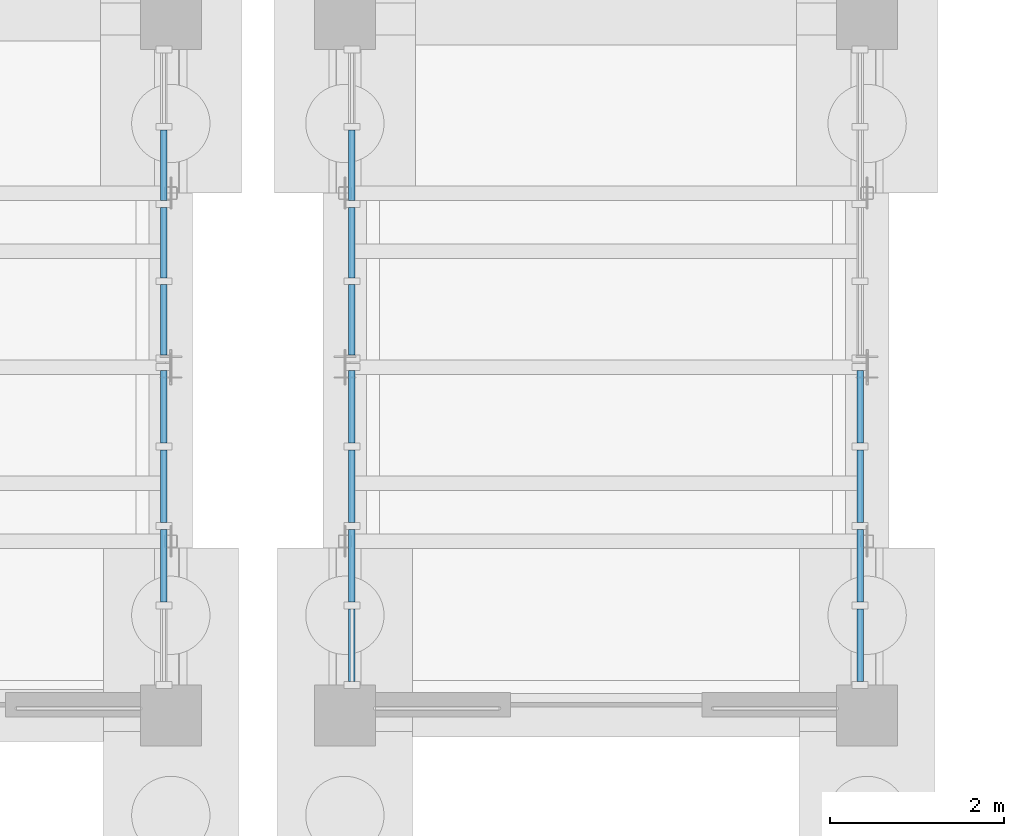
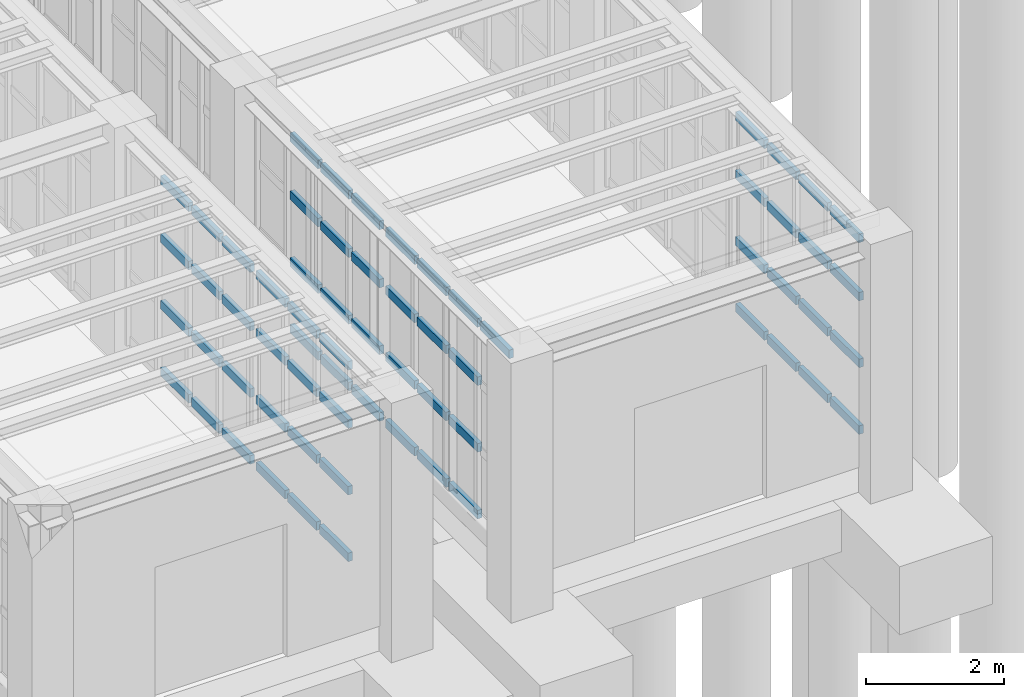
# One storey, part 74 of 129: 65 members, 5 elements without a shape of their own.
"""IFC4 building model written with IfcOpenShell, lengths in metres."""

from ifc_helpers import new_model, si_unit, direction, frame, origin, origin_2d, place, context, subcontext, project, spatial, rectangle, extrude, material, layer, layer_set, material_profile, profile_set, type_object, element, aggregate, save


model = new_model("IFC4")

# Units and contexts
model_context = context("Model", 3, precision=1e-05, world=origin(), true_north=direction((0.0, 1.0)))
body_context = subcontext(model_context, "Body", "Model", "MODEL_VIEW")
ifc_project = project(units=[si_unit("LENGTHUNIT", "METRE"), si_unit("AREAUNIT", "SQUARE_METRE"), si_unit("VOLUMEUNIT", "CUBIC_METRE"), si_unit("PLANEANGLEUNIT", "RADIAN"), si_unit("MASSUNIT", "GRAM", prefix="KILO")], contexts=[model_context])

# Site, building, storey
site_placement = place(None, origin())
site = spatial("IfcSite", under=ifc_project, at=site_placement, CompositionType="ELEMENT")
building_placement = place(site_placement, origin())
building = spatial("IfcBuilding", under=site, at=building_placement, Name="Sitalva Quay Ferry Terminal", CompositionType="ELEMENT")
storey_placement = place(building_placement, origin())
storey = spatial("IfcBuildingStorey", under=building, at=storey_placement, Name="L01", CompositionType="ELEMENT", Elevation=0.0)

# Curtain wall, members
ifc_material_1 = material(Name="Anodised Aluminium & Low-E Glazing", Category="aluminium")
ifc_layer = layer(ifc_material_1, 0.159912109375)
ifc_layer_set = layer_set([ifc_layer], Name="Anodised Aluminium & Low-E Glazing")
curtain_wall_type = type_object("IfcCurtainWallType", Name="CW_Bridge_Glazed", PredefinedType="USERDEFINED", material=ifc_layer_set)
curtain_wall_1_placement = place(storey_placement, origin())
curtain_wall_1 = element("IfcCurtainWall", 1, at=curtain_wall_1_placement, inside=storey, type_object=curtain_wall_type, Name="Boarding bridge BB2 E1 side glazing (CW-L01-045)", ObjectType="CURTAIN_WALL", PredefinedType="USERDEFINED")
ifc_material_2 = material(Name="Anodised Aluminium 6063-T6", Category="aluminium")
ifc_material_profile = material_profile(ifc_material_2, rectangle(XDim=0.074951171875, YDim=0.14990234375, at=origin_2d()), Name="ALU75x150")
ifc_profile_set = profile_set([ifc_material_profile], Name="Anodised Aluminium 6063-T6")
member_type = type_object("IfcMemberType", Name="Transom_Alu_75x140", PredefinedType="MULLION", material=ifc_profile_set)
member_1_placement = place(storey_placement, frame((56.919921875, -8.697509765625, 0.324951171875), z_axis=(0.0, 1.0, 0.0), x_axis=(-1.0, 0.0, 0.0)))
member_1 = element("IfcMember", 2, at=member_1_placement, type_object=member_type, Name="CW-L01-045-T1-0", ObjectType="TRANSOM", PredefinedType="USERDEFINED", context=body_context, shape_type="SweptSolid", body=[
    extrude(rectangle(XDim=0.074951171875, YDim=0.14990234375, at=origin_2d()), origin(), (0.0, 0.0, 1.0), 0.83251953125),
])
member_2_placement = place(storey_placement, frame((56.919921875, -8.697509765625, 1.501708984375), z_axis=(0.0, 1.0, 0.0), x_axis=(-1.0, 0.0, 0.0)))
member_2 = element("IfcMember", 3, at=member_2_placement, type_object=member_type, Name="CW-L01-045-T1-1", ObjectType="TRANSOM", PredefinedType="USERDEFINED", context=body_context, shape_type="SweptSolid", body=[
    extrude(rectangle(XDim=0.074951171875, YDim=0.14990234375, at=origin_2d()), origin(), (0.0, 0.0, 1.0), 0.83251953125),
])
member_3_placement = place(storey_placement, frame((56.919921875, -8.697509765625, 2.67822265625), z_axis=(0.0, 1.0, 0.0), x_axis=(-1.0, 0.0, 0.0)))
member_3 = element("IfcMember", 4, at=member_3_placement, type_object=member_type, Name="CW-L01-045-T1-2", ObjectType="TRANSOM", PredefinedType="USERDEFINED", context=body_context, shape_type="SweptSolid", body=[
    extrude(rectangle(XDim=0.074951171875, YDim=0.14990234375, at=origin_2d()), origin(), (0.0, 0.0, 1.0), 0.83251953125),
])
member_4_placement = place(storey_placement, frame((56.919921875, -8.697509765625, 3.705078125), z_axis=(0.0, 1.0, 0.0), x_axis=(-1.0, 0.0, 0.0)))
member_4 = element("IfcMember", 5, at=member_4_placement, type_object=member_type, Name="CW-L01-045-T1-3", ObjectType="TRANSOM", PredefinedType="USERDEFINED", context=body_context, shape_type="SweptSolid", body=[
    extrude(rectangle(XDim=0.074951171875, YDim=0.14990234375, at=origin_2d()), origin(), (0.0, 0.0, 1.0), 0.83251953125),
])
member_5_placement = place(storey_placement, frame((56.919921875, -7.784912109375, 0.324951171875), z_axis=(0.0, 1.0, 0.0), x_axis=(-1.0, 0.0, 0.0)))
member_5 = element("IfcMember", 6, at=member_5_placement, type_object=member_type, Name="CW-L01-045-T2-0", ObjectType="TRANSOM", PredefinedType="USERDEFINED", context=body_context, shape_type="SweptSolid", body=[
    extrude(rectangle(XDim=0.074951171875, YDim=0.14990234375, at=origin_2d()), origin(), (0.0, 0.0, 1.0), 0.83251953125),
])
member_6_placement = place(storey_placement, frame((56.919921875, -7.784912109375, 1.501708984375), z_axis=(0.0, 1.0, 0.0), x_axis=(-1.0, 0.0, 0.0)))
member_6 = element("IfcMember", 7, at=member_6_placement, type_object=member_type, Name="CW-L01-045-T2-1", ObjectType="TRANSOM", PredefinedType="USERDEFINED", context=body_context, shape_type="SweptSolid", body=[
    extrude(rectangle(XDim=0.074951171875, YDim=0.14990234375, at=origin_2d()), origin(), (0.0, 0.0, 1.0), 0.83251953125),
])
member_7_placement = place(storey_placement, frame((56.919921875, -7.784912109375, 2.67822265625), z_axis=(0.0, 1.0, 0.0), x_axis=(-1.0, 0.0, 0.0)))
member_7 = element("IfcMember", 8, at=member_7_placement, type_object=member_type, Name="CW-L01-045-T2-2", ObjectType="TRANSOM", PredefinedType="USERDEFINED", context=body_context, shape_type="SweptSolid", body=[
    extrude(rectangle(XDim=0.074951171875, YDim=0.14990234375, at=origin_2d()), origin(), (0.0, 0.0, 1.0), 0.83251953125),
])
member_8_placement = place(storey_placement, frame((56.919921875, -7.784912109375, 3.705078125), z_axis=(0.0, 1.0, 0.0), x_axis=(-1.0, 0.0, 0.0)))
member_8 = element("IfcMember", 9, at=member_8_placement, type_object=member_type, Name="CW-L01-045-T2-3", ObjectType="TRANSOM", PredefinedType="USERDEFINED", context=body_context, shape_type="SweptSolid", body=[
    extrude(rectangle(XDim=0.074951171875, YDim=0.14990234375, at=origin_2d()), origin(), (0.0, 0.0, 1.0), 0.83251953125),
])
member_9_placement = place(storey_placement, frame((56.919921875, -6.87255859375, 0.324951171875), z_axis=(0.0, 1.0, 0.0), x_axis=(-1.0, 0.0, 0.0)))
member_9 = element("IfcMember", 10, at=member_9_placement, type_object=member_type, Name="CW-L01-045-T3-0", ObjectType="TRANSOM", PredefinedType="USERDEFINED", context=body_context, shape_type="SweptSolid", body=[
    extrude(rectangle(XDim=0.074951171875, YDim=0.14990234375, at=origin_2d()), origin(), (0.0, 0.0, 1.0), 0.83251953125),
])
member_10_placement = place(storey_placement, frame((56.919921875, -6.87255859375, 1.501708984375), z_axis=(0.0, 1.0, 0.0), x_axis=(-1.0, 0.0, 0.0)))
member_10 = element("IfcMember", 11, at=member_10_placement, type_object=member_type, Name="CW-L01-045-T3-1", ObjectType="TRANSOM", PredefinedType="USERDEFINED", context=body_context, shape_type="SweptSolid", body=[
    extrude(rectangle(XDim=0.074951171875, YDim=0.14990234375, at=origin_2d()), origin(), (0.0, 0.0, 1.0), 0.83251953125),
])
member_11_placement = place(storey_placement, frame((56.919921875, -6.87255859375, 2.67822265625), z_axis=(0.0, 1.0, 0.0), x_axis=(-1.0, 0.0, 0.0)))
member_11 = element("IfcMember", 12, at=member_11_placement, type_object=member_type, Name="CW-L01-045-T3-2", ObjectType="TRANSOM", PredefinedType="USERDEFINED", context=body_context, shape_type="SweptSolid", body=[
    extrude(rectangle(XDim=0.074951171875, YDim=0.14990234375, at=origin_2d()), origin(), (0.0, 0.0, 1.0), 0.83251953125),
])
member_12_placement = place(storey_placement, frame((56.919921875, -6.87255859375, 3.705078125), z_axis=(0.0, 1.0, 0.0), x_axis=(-1.0, 0.0, 0.0)))
member_12 = element("IfcMember", 13, at=member_12_placement, type_object=member_type, Name="CW-L01-045-T3-3", ObjectType="TRANSOM", PredefinedType="USERDEFINED", context=body_context, shape_type="SweptSolid", body=[
    extrude(rectangle(XDim=0.074951171875, YDim=0.14990234375, at=origin_2d()), origin(), (0.0, 0.0, 1.0), 0.83251953125),
])
aggregate(curtain_wall_1, [member_1, member_2, member_3, member_4, member_5, member_6, member_7, member_8, member_9, member_10, member_11, member_12])

curtain_wall_2_placement = place(storey_placement, origin())
curtain_wall_2 = element("IfcCurtainWall", 14, at=curtain_wall_2_placement, inside=storey, type_object=curtain_wall_type, Name="Boarding bridge BB2 E2 side glazing (CW-L01-046)", ObjectType="CURTAIN_WALL", PredefinedType="USERDEFINED")
member_13_placement = place(storey_placement, frame((56.919921875, -5.860107421875, 0.324951171875), z_axis=(0.0, 1.0, 0.0), x_axis=(-1.0, 0.0, 0.0)))
member_13 = element("IfcMember", 15, at=member_13_placement, type_object=member_type, Name="CW-L01-046-T0-0", ObjectType="TRANSOM", PredefinedType="USERDEFINED", context=body_context, shape_type="SweptSolid", body=[
    extrude(rectangle(XDim=0.074951171875, YDim=0.14990234375, at=origin_2d()), origin(), (0.0, 0.0, 1.0), 0.8076171875),
])
member_14_placement = place(storey_placement, frame((56.919921875, -5.860107421875, 1.501708984375), z_axis=(0.0, 1.0, 0.0), x_axis=(-1.0, 0.0, 0.0)))
member_14 = element("IfcMember", 16, at=member_14_placement, type_object=member_type, Name="CW-L01-046-T0-1", ObjectType="TRANSOM", PredefinedType="USERDEFINED", context=body_context, shape_type="SweptSolid", body=[
    extrude(rectangle(XDim=0.074951171875, YDim=0.14990234375, at=origin_2d()), origin(), (0.0, 0.0, 1.0), 0.8076171875),
])
member_15_placement = place(storey_placement, frame((56.919921875, -5.860107421875, 2.67822265625), z_axis=(0.0, 1.0, 0.0), x_axis=(-1.0, 0.0, 0.0)))
member_15 = element("IfcMember", 17, at=member_15_placement, type_object=member_type, Name="CW-L01-046-T0-2", ObjectType="TRANSOM", PredefinedType="USERDEFINED", context=body_context, shape_type="SweptSolid", body=[
    extrude(rectangle(XDim=0.074951171875, YDim=0.14990234375, at=origin_2d()), origin(), (0.0, 0.0, 1.0), 0.8076171875),
])
member_16_placement = place(storey_placement, frame((56.919921875, -5.860107421875, 3.705078125), z_axis=(0.0, 1.0, 0.0), x_axis=(-1.0, 0.0, 0.0)))
member_16 = element("IfcMember", 18, at=member_16_placement, type_object=member_type, Name="CW-L01-046-T0-3", ObjectType="TRANSOM", PredefinedType="USERDEFINED", context=body_context, shape_type="SweptSolid", body=[
    extrude(rectangle(XDim=0.074951171875, YDim=0.14990234375, at=origin_2d()), origin(), (0.0, 0.0, 1.0), 0.8076171875),
])
member_17_placement = place(storey_placement, frame((56.919921875, -4.972412109375, 0.324951171875), z_axis=(0.0, 1.0, 0.0), x_axis=(-1.0, 0.0, 0.0)))
member_17 = element("IfcMember", 19, at=member_17_placement, type_object=member_type, Name="CW-L01-046-T1-0", ObjectType="TRANSOM", PredefinedType="USERDEFINED", context=body_context, shape_type="SweptSolid", body=[
    extrude(rectangle(XDim=0.074951171875, YDim=0.14990234375, at=origin_2d()), origin(), (0.0, 0.0, 1.0), 0.807373046875),
])
member_18_placement = place(storey_placement, frame((56.919921875, -4.972412109375, 1.501708984375), z_axis=(0.0, 1.0, 0.0), x_axis=(-1.0, 0.0, 0.0)))
member_18 = element("IfcMember", 20, at=member_18_placement, type_object=member_type, Name="CW-L01-046-T1-1", ObjectType="TRANSOM", PredefinedType="USERDEFINED", context=body_context, shape_type="SweptSolid", body=[
    extrude(rectangle(XDim=0.074951171875, YDim=0.14990234375, at=origin_2d()), origin(), (0.0, 0.0, 1.0), 0.807373046875),
])
member_19_placement = place(storey_placement, frame((56.919921875, -4.972412109375, 2.67822265625), z_axis=(0.0, 1.0, 0.0), x_axis=(-1.0, 0.0, 0.0)))
member_19 = element("IfcMember", 21, at=member_19_placement, type_object=member_type, Name="CW-L01-046-T1-2", ObjectType="TRANSOM", PredefinedType="USERDEFINED", context=body_context, shape_type="SweptSolid", body=[
    extrude(rectangle(XDim=0.074951171875, YDim=0.14990234375, at=origin_2d()), origin(), (0.0, 0.0, 1.0), 0.807373046875),
])
member_20_placement = place(storey_placement, frame((56.919921875, -4.972412109375, 3.705078125), z_axis=(0.0, 1.0, 0.0), x_axis=(-1.0, 0.0, 0.0)))
member_20 = element("IfcMember", 22, at=member_20_placement, type_object=member_type, Name="CW-L01-046-T1-3", ObjectType="TRANSOM", PredefinedType="USERDEFINED", context=body_context, shape_type="SweptSolid", body=[
    extrude(rectangle(XDim=0.074951171875, YDim=0.14990234375, at=origin_2d()), origin(), (0.0, 0.0, 1.0), 0.807373046875),
])
member_21_placement = place(storey_placement, frame((56.919921875, -4.0849609375, 0.324951171875), z_axis=(0.0, 1.0, 0.0), x_axis=(-1.0, 0.0, 0.0)))
member_21 = element("IfcMember", 23, at=member_21_placement, type_object=member_type, Name="CW-L01-046-T2-0", ObjectType="TRANSOM", PredefinedType="USERDEFINED", context=body_context, shape_type="SweptSolid", body=[
    extrude(rectangle(XDim=0.074951171875, YDim=0.14990234375, at=origin_2d()), origin(), (0.0, 0.0, 1.0), 0.807373046875),
])
member_22_placement = place(storey_placement, frame((56.919921875, -4.0849609375, 1.501708984375), z_axis=(0.0, 1.0, 0.0), x_axis=(-1.0, 0.0, 0.0)))
member_22 = element("IfcMember", 24, at=member_22_placement, type_object=member_type, Name="CW-L01-046-T2-1", ObjectType="TRANSOM", PredefinedType="USERDEFINED", context=body_context, shape_type="SweptSolid", body=[
    extrude(rectangle(XDim=0.074951171875, YDim=0.14990234375, at=origin_2d()), origin(), (0.0, 0.0, 1.0), 0.807373046875),
])
member_23_placement = place(storey_placement, frame((56.919921875, -4.0849609375, 2.67822265625), z_axis=(0.0, 1.0, 0.0), x_axis=(-1.0, 0.0, 0.0)))
member_23 = element("IfcMember", 25, at=member_23_placement, type_object=member_type, Name="CW-L01-046-T2-2", ObjectType="TRANSOM", PredefinedType="USERDEFINED", context=body_context, shape_type="SweptSolid", body=[
    extrude(rectangle(XDim=0.074951171875, YDim=0.14990234375, at=origin_2d()), origin(), (0.0, 0.0, 1.0), 0.807373046875),
])
member_24_placement = place(storey_placement, frame((56.919921875, -4.0849609375, 3.705078125), z_axis=(0.0, 1.0, 0.0), x_axis=(-1.0, 0.0, 0.0)))
member_24 = element("IfcMember", 26, at=member_24_placement, type_object=member_type, Name="CW-L01-046-T2-3", ObjectType="TRANSOM", PredefinedType="USERDEFINED", context=body_context, shape_type="SweptSolid", body=[
    extrude(rectangle(XDim=0.074951171875, YDim=0.14990234375, at=origin_2d()), origin(), (0.0, 0.0, 1.0), 0.807373046875),
])
aggregate(curtain_wall_2, [member_13, member_14, member_15, member_16, member_17, member_18, member_19, member_20, member_21, member_22, member_23, member_24])

curtain_wall_3_placement = place(storey_placement, origin())
curtain_wall_3 = element("IfcCurtainWall", 27, at=curtain_wall_3_placement, inside=storey, type_object=curtain_wall_type, Name="Boarding bridge BB3 W1 side glazing (CW-L01-049)", ObjectType="CURTAIN_WALL", PredefinedType="USERDEFINED")
member_25_placement = place(storey_placement, frame((59.080078125, -9.610107421875, 3.705078125), z_axis=(0.0, 1.0, 0.0), x_axis=(-1.0, 0.0, 0.0)))
member_25 = element("IfcMember", 28, at=member_25_placement, type_object=member_type, Name="CW-L01-049-T0-3", ObjectType="TRANSOM", PredefinedType="USERDEFINED", context=body_context, shape_type="SweptSolid", body=[
    extrude(rectangle(XDim=0.074951171875, YDim=0.14990234375, at=origin_2d()), origin(), (0.0, 0.0, 1.0), 0.83251953125),
])
member_26_placement = place(storey_placement, frame((59.080078125, -8.697509765625, 0.324951171875), z_axis=(0.0, 1.0, 0.0), x_axis=(-1.0, 0.0, 0.0)))
member_26 = element("IfcMember", 29, at=member_26_placement, type_object=member_type, Name="CW-L01-049-T1-0", ObjectType="TRANSOM", PredefinedType="USERDEFINED", context=body_context, shape_type="SweptSolid", body=[
    extrude(rectangle(XDim=0.074951171875, YDim=0.14990234375, at=origin_2d()), origin(), (0.0, 0.0, 1.0), 0.83251953125),
])
member_27_placement = place(storey_placement, frame((59.080078125, -8.697509765625, 1.501708984375), z_axis=(0.0, 1.0, 0.0), x_axis=(-1.0, 0.0, 0.0)))
member_27 = element("IfcMember", 30, at=member_27_placement, type_object=member_type, Name="CW-L01-049-T1-1", ObjectType="TRANSOM", PredefinedType="USERDEFINED", context=body_context, shape_type="SweptSolid", body=[
    extrude(rectangle(XDim=0.074951171875, YDim=0.14990234375, at=origin_2d()), origin(), (0.0, 0.0, 1.0), 0.83251953125),
])
member_28_placement = place(storey_placement, frame((59.080078125, -8.697509765625, 2.67822265625), z_axis=(0.0, 1.0, 0.0), x_axis=(-1.0, 0.0, 0.0)))
member_28 = element("IfcMember", 31, at=member_28_placement, type_object=member_type, Name="CW-L01-049-T1-2", ObjectType="TRANSOM", PredefinedType="USERDEFINED", context=body_context, shape_type="SweptSolid", body=[
    extrude(rectangle(XDim=0.074951171875, YDim=0.14990234375, at=origin_2d()), origin(), (0.0, 0.0, 1.0), 0.83251953125),
])
member_29_placement = place(storey_placement, frame((59.080078125, -8.697509765625, 3.705078125), z_axis=(0.0, 1.0, 0.0), x_axis=(-1.0, 0.0, 0.0)))
member_29 = element("IfcMember", 32, at=member_29_placement, type_object=member_type, Name="CW-L01-049-T1-3", ObjectType="TRANSOM", PredefinedType="USERDEFINED", context=body_context, shape_type="SweptSolid", body=[
    extrude(rectangle(XDim=0.074951171875, YDim=0.14990234375, at=origin_2d()), origin(), (0.0, 0.0, 1.0), 0.83251953125),
])
member_30_placement = place(storey_placement, frame((59.080078125, -7.784912109375, 0.324951171875), z_axis=(0.0, 1.0, 0.0), x_axis=(-1.0, 0.0, 0.0)))
member_30 = element("IfcMember", 33, at=member_30_placement, type_object=member_type, Name="CW-L01-049-T2-0", ObjectType="TRANSOM", PredefinedType="USERDEFINED", context=body_context, shape_type="SweptSolid", body=[
    extrude(rectangle(XDim=0.074951171875, YDim=0.14990234375, at=origin_2d()), origin(), (0.0, 0.0, 1.0), 0.83251953125),
])
member_31_placement = place(storey_placement, frame((59.080078125, -7.784912109375, 1.501708984375), z_axis=(0.0, 1.0, 0.0), x_axis=(-1.0, 0.0, 0.0)))
member_31 = element("IfcMember", 34, at=member_31_placement, type_object=member_type, Name="CW-L01-049-T2-1", ObjectType="TRANSOM", PredefinedType="USERDEFINED", context=body_context, shape_type="SweptSolid", body=[
    extrude(rectangle(XDim=0.074951171875, YDim=0.14990234375, at=origin_2d()), origin(), (0.0, 0.0, 1.0), 0.83251953125),
])
member_32_placement = place(storey_placement, frame((59.080078125, -7.784912109375, 2.67822265625), z_axis=(0.0, 1.0, 0.0), x_axis=(-1.0, 0.0, 0.0)))
member_32 = element("IfcMember", 35, at=member_32_placement, type_object=member_type, Name="CW-L01-049-T2-2", ObjectType="TRANSOM", PredefinedType="USERDEFINED", context=body_context, shape_type="SweptSolid", body=[
    extrude(rectangle(XDim=0.074951171875, YDim=0.14990234375, at=origin_2d()), origin(), (0.0, 0.0, 1.0), 0.83251953125),
])
member_33_placement = place(storey_placement, frame((59.080078125, -7.784912109375, 3.705078125), z_axis=(0.0, 1.0, 0.0), x_axis=(-1.0, 0.0, 0.0)))
member_33 = element("IfcMember", 36, at=member_33_placement, type_object=member_type, Name="CW-L01-049-T2-3", ObjectType="TRANSOM", PredefinedType="USERDEFINED", context=body_context, shape_type="SweptSolid", body=[
    extrude(rectangle(XDim=0.074951171875, YDim=0.14990234375, at=origin_2d()), origin(), (0.0, 0.0, 1.0), 0.83251953125),
])
member_34_placement = place(storey_placement, frame((59.080078125, -6.87255859375, 0.324951171875), z_axis=(0.0, 1.0, 0.0), x_axis=(-1.0, 0.0, 0.0)))
member_34 = element("IfcMember", 37, at=member_34_placement, type_object=member_type, Name="CW-L01-049-T3-0", ObjectType="TRANSOM", PredefinedType="USERDEFINED", context=body_context, shape_type="SweptSolid", body=[
    extrude(rectangle(XDim=0.074951171875, YDim=0.14990234375, at=origin_2d()), origin(), (0.0, 0.0, 1.0), 0.83251953125),
])
member_35_placement = place(storey_placement, frame((59.080078125, -6.87255859375, 1.501708984375), z_axis=(0.0, 1.0, 0.0), x_axis=(-1.0, 0.0, 0.0)))
member_35 = element("IfcMember", 38, at=member_35_placement, type_object=member_type, Name="CW-L01-049-T3-1", ObjectType="TRANSOM", PredefinedType="USERDEFINED", context=body_context, shape_type="SweptSolid", body=[
    extrude(rectangle(XDim=0.074951171875, YDim=0.14990234375, at=origin_2d()), origin(), (0.0, 0.0, 1.0), 0.83251953125),
])
member_36_placement = place(storey_placement, frame((59.080078125, -6.87255859375, 2.67822265625), z_axis=(0.0, 1.0, 0.0), x_axis=(-1.0, 0.0, 0.0)))
member_36 = element("IfcMember", 39, at=member_36_placement, type_object=member_type, Name="CW-L01-049-T3-2", ObjectType="TRANSOM", PredefinedType="USERDEFINED", context=body_context, shape_type="SweptSolid", body=[
    extrude(rectangle(XDim=0.074951171875, YDim=0.14990234375, at=origin_2d()), origin(), (0.0, 0.0, 1.0), 0.83251953125),
])
member_37_placement = place(storey_placement, frame((59.080078125, -6.87255859375, 3.705078125), z_axis=(0.0, 1.0, 0.0), x_axis=(-1.0, 0.0, 0.0)))
member_37 = element("IfcMember", 40, at=member_37_placement, type_object=member_type, Name="CW-L01-049-T3-3", ObjectType="TRANSOM", PredefinedType="USERDEFINED", context=body_context, shape_type="SweptSolid", body=[
    extrude(rectangle(XDim=0.074951171875, YDim=0.14990234375, at=origin_2d()), origin(), (0.0, 0.0, 1.0), 0.83251953125),
])
aggregate(curtain_wall_3, [member_25, member_26, member_27, member_28, member_29, member_30, member_31, member_32, member_33, member_34, member_35, member_36, member_37])

curtain_wall_4_placement = place(storey_placement, origin())
curtain_wall_4 = element("IfcCurtainWall", 41, at=curtain_wall_4_placement, inside=storey, type_object=curtain_wall_type, Name="Boarding bridge BB3 W2 side glazing (CW-L01-050)", ObjectType="CURTAIN_WALL", PredefinedType="USERDEFINED")
member_38_placement = place(storey_placement, frame((59.080078125, -5.860107421875, 0.324951171875), z_axis=(0.0, 1.0, 0.0), x_axis=(-1.0, 0.0, 0.0)))
member_38 = element("IfcMember", 42, at=member_38_placement, type_object=member_type, Name="CW-L01-050-T0-0", ObjectType="TRANSOM", PredefinedType="USERDEFINED", context=body_context, shape_type="SweptSolid", body=[
    extrude(rectangle(XDim=0.074951171875, YDim=0.14990234375, at=origin_2d()), origin(), (0.0, 0.0, 1.0), 0.8076171875),
])
member_39_placement = place(storey_placement, frame((59.080078125, -5.860107421875, 1.501708984375), z_axis=(0.0, 1.0, 0.0), x_axis=(-1.0, 0.0, 0.0)))
member_39 = element("IfcMember", 43, at=member_39_placement, type_object=member_type, Name="CW-L01-050-T0-1", ObjectType="TRANSOM", PredefinedType="USERDEFINED", context=body_context, shape_type="SweptSolid", body=[
    extrude(rectangle(XDim=0.074951171875, YDim=0.14990234375, at=origin_2d()), origin(), (0.0, 0.0, 1.0), 0.8076171875),
])
member_40_placement = place(storey_placement, frame((59.080078125, -5.860107421875, 2.67822265625), z_axis=(0.0, 1.0, 0.0), x_axis=(-1.0, 0.0, 0.0)))
member_40 = element("IfcMember", 44, at=member_40_placement, type_object=member_type, Name="CW-L01-050-T0-2", ObjectType="TRANSOM", PredefinedType="USERDEFINED", context=body_context, shape_type="SweptSolid", body=[
    extrude(rectangle(XDim=0.074951171875, YDim=0.14990234375, at=origin_2d()), origin(), (0.0, 0.0, 1.0), 0.8076171875),
])
member_41_placement = place(storey_placement, frame((59.080078125, -5.860107421875, 3.705078125), z_axis=(0.0, 1.0, 0.0), x_axis=(-1.0, 0.0, 0.0)))
member_41 = element("IfcMember", 45, at=member_41_placement, type_object=member_type, Name="CW-L01-050-T0-3", ObjectType="TRANSOM", PredefinedType="USERDEFINED", context=body_context, shape_type="SweptSolid", body=[
    extrude(rectangle(XDim=0.074951171875, YDim=0.14990234375, at=origin_2d()), origin(), (0.0, 0.0, 1.0), 0.8076171875),
])
member_42_placement = place(storey_placement, frame((59.080078125, -4.972412109375, 0.324951171875), z_axis=(0.0, 1.0, 0.0), x_axis=(-1.0, 0.0, 0.0)))
member_42 = element("IfcMember", 46, at=member_42_placement, type_object=member_type, Name="CW-L01-050-T1-0", ObjectType="TRANSOM", PredefinedType="USERDEFINED", context=body_context, shape_type="SweptSolid", body=[
    extrude(rectangle(XDim=0.074951171875, YDim=0.14990234375, at=origin_2d()), origin(), (0.0, 0.0, 1.0), 0.807373046875),
])
member_43_placement = place(storey_placement, frame((59.080078125, -4.972412109375, 1.501708984375), z_axis=(0.0, 1.0, 0.0), x_axis=(-1.0, 0.0, 0.0)))
member_43 = element("IfcMember", 47, at=member_43_placement, type_object=member_type, Name="CW-L01-050-T1-1", ObjectType="TRANSOM", PredefinedType="USERDEFINED", context=body_context, shape_type="SweptSolid", body=[
    extrude(rectangle(XDim=0.074951171875, YDim=0.14990234375, at=origin_2d()), origin(), (0.0, 0.0, 1.0), 0.807373046875),
])
member_44_placement = place(storey_placement, frame((59.080078125, -4.972412109375, 2.67822265625), z_axis=(0.0, 1.0, 0.0), x_axis=(-1.0, 0.0, 0.0)))
member_44 = element("IfcMember", 48, at=member_44_placement, type_object=member_type, Name="CW-L01-050-T1-2", ObjectType="TRANSOM", PredefinedType="USERDEFINED", context=body_context, shape_type="SweptSolid", body=[
    extrude(rectangle(XDim=0.074951171875, YDim=0.14990234375, at=origin_2d()), origin(), (0.0, 0.0, 1.0), 0.807373046875),
])
member_45_placement = place(storey_placement, frame((59.080078125, -4.972412109375, 3.705078125), z_axis=(0.0, 1.0, 0.0), x_axis=(-1.0, 0.0, 0.0)))
member_45 = element("IfcMember", 49, at=member_45_placement, type_object=member_type, Name="CW-L01-050-T1-3", ObjectType="TRANSOM", PredefinedType="USERDEFINED", context=body_context, shape_type="SweptSolid", body=[
    extrude(rectangle(XDim=0.074951171875, YDim=0.14990234375, at=origin_2d()), origin(), (0.0, 0.0, 1.0), 0.807373046875),
])
member_46_placement = place(storey_placement, frame((59.080078125, -4.0849609375, 0.324951171875), z_axis=(0.0, 1.0, 0.0), x_axis=(-1.0, 0.0, 0.0)))
member_46 = element("IfcMember", 50, at=member_46_placement, type_object=member_type, Name="CW-L01-050-T2-0", ObjectType="TRANSOM", PredefinedType="USERDEFINED", context=body_context, shape_type="SweptSolid", body=[
    extrude(rectangle(XDim=0.074951171875, YDim=0.14990234375, at=origin_2d()), origin(), (0.0, 0.0, 1.0), 0.807373046875),
])
member_47_placement = place(storey_placement, frame((59.080078125, -4.0849609375, 1.501708984375), z_axis=(0.0, 1.0, 0.0), x_axis=(-1.0, 0.0, 0.0)))
member_47 = element("IfcMember", 51, at=member_47_placement, type_object=member_type, Name="CW-L01-050-T2-1", ObjectType="TRANSOM", PredefinedType="USERDEFINED", context=body_context, shape_type="SweptSolid", body=[
    extrude(rectangle(XDim=0.074951171875, YDim=0.14990234375, at=origin_2d()), origin(), (0.0, 0.0, 1.0), 0.807373046875),
])
member_48_placement = place(storey_placement, frame((59.080078125, -4.0849609375, 2.67822265625), z_axis=(0.0, 1.0, 0.0), x_axis=(-1.0, 0.0, 0.0)))
member_48 = element("IfcMember", 52, at=member_48_placement, type_object=member_type, Name="CW-L01-050-T2-2", ObjectType="TRANSOM", PredefinedType="USERDEFINED", context=body_context, shape_type="SweptSolid", body=[
    extrude(rectangle(XDim=0.074951171875, YDim=0.14990234375, at=origin_2d()), origin(), (0.0, 0.0, 1.0), 0.807373046875),
])
member_49_placement = place(storey_placement, frame((59.080078125, -4.0849609375, 3.705078125), z_axis=(0.0, 1.0, 0.0), x_axis=(-1.0, 0.0, 0.0)))
member_49 = element("IfcMember", 53, at=member_49_placement, type_object=member_type, Name="CW-L01-050-T2-3", ObjectType="TRANSOM", PredefinedType="USERDEFINED", context=body_context, shape_type="SweptSolid", body=[
    extrude(rectangle(XDim=0.074951171875, YDim=0.14990234375, at=origin_2d()), origin(), (0.0, 0.0, 1.0), 0.807373046875),
])
aggregate(curtain_wall_4, [member_38, member_39, member_40, member_41, member_42, member_43, member_44, member_45, member_46, member_47, member_48, member_49])

curtain_wall_5_placement = place(storey_placement, origin())
curtain_wall_5 = element("IfcCurtainWall", 54, at=curtain_wall_5_placement, inside=storey, type_object=curtain_wall_type, Name="Boarding bridge BB3 E1 side glazing (CW-L01-053)", ObjectType="CURTAIN_WALL", PredefinedType="USERDEFINED")
member_50_placement = place(storey_placement, frame((64.919921875, -9.610107421875, 0.324951171875), z_axis=(0.0, 1.0, 0.0), x_axis=(-1.0, 0.0, 0.0)))
member_50 = element("IfcMember", 55, at=member_50_placement, type_object=member_type, Name="CW-L01-053-T0-0", ObjectType="TRANSOM", PredefinedType="USERDEFINED", context=body_context, shape_type="SweptSolid", body=[
    extrude(rectangle(XDim=0.074951171875, YDim=0.14990234375, at=origin_2d()), origin(), (0.0, 0.0, 1.0), 0.83251953125),
])
member_51_placement = place(storey_placement, frame((64.919921875, -9.610107421875, 1.501708984375), z_axis=(0.0, 1.0, 0.0), x_axis=(-1.0, 0.0, 0.0)))
member_51 = element("IfcMember", 56, at=member_51_placement, type_object=member_type, Name="CW-L01-053-T0-1", ObjectType="TRANSOM", PredefinedType="USERDEFINED", context=body_context, shape_type="SweptSolid", body=[
    extrude(rectangle(XDim=0.074951171875, YDim=0.14990234375, at=origin_2d()), origin(), (0.0, 0.0, 1.0), 0.83251953125),
])
member_52_placement = place(storey_placement, frame((64.919921875, -9.610107421875, 2.67822265625), z_axis=(0.0, 1.0, 0.0), x_axis=(-1.0, 0.0, 0.0)))
member_52 = element("IfcMember", 57, at=member_52_placement, type_object=member_type, Name="CW-L01-053-T0-2", ObjectType="TRANSOM", PredefinedType="USERDEFINED", context=body_context, shape_type="SweptSolid", body=[
    extrude(rectangle(XDim=0.074951171875, YDim=0.14990234375, at=origin_2d()), origin(), (0.0, 0.0, 1.0), 0.83251953125),
])
member_53_placement = place(storey_placement, frame((64.919921875, -9.610107421875, 3.705078125), z_axis=(0.0, 1.0, 0.0), x_axis=(-1.0, 0.0, 0.0)))
member_53 = element("IfcMember", 58, at=member_53_placement, type_object=member_type, Name="CW-L01-053-T0-3", ObjectType="TRANSOM", PredefinedType="USERDEFINED", context=body_context, shape_type="SweptSolid", body=[
    extrude(rectangle(XDim=0.074951171875, YDim=0.14990234375, at=origin_2d()), origin(), (0.0, 0.0, 1.0), 0.83251953125),
])
member_54_placement = place(storey_placement, frame((64.919921875, -8.697509765625, 0.324951171875), z_axis=(0.0, 1.0, 0.0), x_axis=(-1.0, 0.0, 0.0)))
member_54 = element("IfcMember", 59, at=member_54_placement, type_object=member_type, Name="CW-L01-053-T1-0", ObjectType="TRANSOM", PredefinedType="USERDEFINED", context=body_context, shape_type="SweptSolid", body=[
    extrude(rectangle(XDim=0.074951171875, YDim=0.14990234375, at=origin_2d()), origin(), (0.0, 0.0, 1.0), 0.83251953125),
])
member_55_placement = place(storey_placement, frame((64.919921875, -8.697509765625, 1.501708984375), z_axis=(0.0, 1.0, 0.0), x_axis=(-1.0, 0.0, 0.0)))
member_55 = element("IfcMember", 60, at=member_55_placement, type_object=member_type, Name="CW-L01-053-T1-1", ObjectType="TRANSOM", PredefinedType="USERDEFINED", context=body_context, shape_type="SweptSolid", body=[
    extrude(rectangle(XDim=0.074951171875, YDim=0.14990234375, at=origin_2d()), origin(), (0.0, 0.0, 1.0), 0.83251953125),
])
member_56_placement = place(storey_placement, frame((64.919921875, -8.697509765625, 2.67822265625), z_axis=(0.0, 1.0, 0.0), x_axis=(-1.0, 0.0, 0.0)))
member_56 = element("IfcMember", 61, at=member_56_placement, type_object=member_type, Name="CW-L01-053-T1-2", ObjectType="TRANSOM", PredefinedType="USERDEFINED", context=body_context, shape_type="SweptSolid", body=[
    extrude(rectangle(XDim=0.074951171875, YDim=0.14990234375, at=origin_2d()), origin(), (0.0, 0.0, 1.0), 0.83251953125),
])
member_57_placement = place(storey_placement, frame((64.919921875, -8.697509765625, 3.705078125), z_axis=(0.0, 1.0, 0.0), x_axis=(-1.0, 0.0, 0.0)))
member_57 = element("IfcMember", 62, at=member_57_placement, type_object=member_type, Name="CW-L01-053-T1-3", ObjectType="TRANSOM", PredefinedType="USERDEFINED", context=body_context, shape_type="SweptSolid", body=[
    extrude(rectangle(XDim=0.074951171875, YDim=0.14990234375, at=origin_2d()), origin(), (0.0, 0.0, 1.0), 0.83251953125),
])
member_58_placement = place(storey_placement, frame((64.919921875, -7.784912109375, 0.324951171875), z_axis=(0.0, 1.0, 0.0), x_axis=(-1.0, 0.0, 0.0)))
member_58 = element("IfcMember", 63, at=member_58_placement, type_object=member_type, Name="CW-L01-053-T2-0", ObjectType="TRANSOM", PredefinedType="USERDEFINED", context=body_context, shape_type="SweptSolid", body=[
    extrude(rectangle(XDim=0.074951171875, YDim=0.14990234375, at=origin_2d()), origin(), (0.0, 0.0, 1.0), 0.83251953125),
])
member_59_placement = place(storey_placement, frame((64.919921875, -7.784912109375, 1.501708984375), z_axis=(0.0, 1.0, 0.0), x_axis=(-1.0, 0.0, 0.0)))
member_59 = element("IfcMember", 64, at=member_59_placement, type_object=member_type, Name="CW-L01-053-T2-1", ObjectType="TRANSOM", PredefinedType="USERDEFINED", context=body_context, shape_type="SweptSolid", body=[
    extrude(rectangle(XDim=0.074951171875, YDim=0.14990234375, at=origin_2d()), origin(), (0.0, 0.0, 1.0), 0.83251953125),
])
member_60_placement = place(storey_placement, frame((64.919921875, -7.784912109375, 2.67822265625), z_axis=(0.0, 1.0, 0.0), x_axis=(-1.0, 0.0, 0.0)))
member_60 = element("IfcMember", 65, at=member_60_placement, type_object=member_type, Name="CW-L01-053-T2-2", ObjectType="TRANSOM", PredefinedType="USERDEFINED", context=body_context, shape_type="SweptSolid", body=[
    extrude(rectangle(XDim=0.074951171875, YDim=0.14990234375, at=origin_2d()), origin(), (0.0, 0.0, 1.0), 0.83251953125),
])
member_61_placement = place(storey_placement, frame((64.919921875, -7.784912109375, 3.705078125), z_axis=(0.0, 1.0, 0.0), x_axis=(-1.0, 0.0, 0.0)))
member_61 = element("IfcMember", 66, at=member_61_placement, type_object=member_type, Name="CW-L01-053-T2-3", ObjectType="TRANSOM", PredefinedType="USERDEFINED", context=body_context, shape_type="SweptSolid", body=[
    extrude(rectangle(XDim=0.074951171875, YDim=0.14990234375, at=origin_2d()), origin(), (0.0, 0.0, 1.0), 0.83251953125),
])
member_62_placement = place(storey_placement, frame((64.919921875, -6.87255859375, 0.324951171875), z_axis=(0.0, 1.0, 0.0), x_axis=(-1.0, 0.0, 0.0)))
member_62 = element("IfcMember", 67, at=member_62_placement, type_object=member_type, Name="CW-L01-053-T3-0", ObjectType="TRANSOM", PredefinedType="USERDEFINED", context=body_context, shape_type="SweptSolid", body=[
    extrude(rectangle(XDim=0.074951171875, YDim=0.14990234375, at=origin_2d()), origin(), (0.0, 0.0, 1.0), 0.83251953125),
])
member_63_placement = place(storey_placement, frame((64.919921875, -6.87255859375, 1.501708984375), z_axis=(0.0, 1.0, 0.0), x_axis=(-1.0, 0.0, 0.0)))
member_63 = element("IfcMember", 68, at=member_63_placement, type_object=member_type, Name="CW-L01-053-T3-1", ObjectType="TRANSOM", PredefinedType="USERDEFINED", context=body_context, shape_type="SweptSolid", body=[
    extrude(rectangle(XDim=0.074951171875, YDim=0.14990234375, at=origin_2d()), origin(), (0.0, 0.0, 1.0), 0.83251953125),
])
member_64_placement = place(storey_placement, frame((64.919921875, -6.87255859375, 2.67822265625), z_axis=(0.0, 1.0, 0.0), x_axis=(-1.0, 0.0, 0.0)))
member_64 = element("IfcMember", 69, at=member_64_placement, type_object=member_type, Name="CW-L01-053-T3-2", ObjectType="TRANSOM", PredefinedType="USERDEFINED", context=body_context, shape_type="SweptSolid", body=[
    extrude(rectangle(XDim=0.074951171875, YDim=0.14990234375, at=origin_2d()), origin(), (0.0, 0.0, 1.0), 0.83251953125),
])
member_65_placement = place(storey_placement, frame((64.919921875, -6.87255859375, 3.705078125), z_axis=(0.0, 1.0, 0.0), x_axis=(-1.0, 0.0, 0.0)))
member_65 = element("IfcMember", 70, at=member_65_placement, type_object=member_type, Name="CW-L01-053-T3-3", ObjectType="TRANSOM", PredefinedType="USERDEFINED", context=body_context, shape_type="SweptSolid", body=[
    extrude(rectangle(XDim=0.074951171875, YDim=0.14990234375, at=origin_2d()), origin(), (0.0, 0.0, 1.0), 0.83251953125),
])
aggregate(curtain_wall_5, [member_50, member_51, member_52, member_53, member_54, member_55, member_56, member_57, member_58, member_59, member_60, member_61, member_62, member_63, member_64, member_65])

save(model, "model.ifc")
